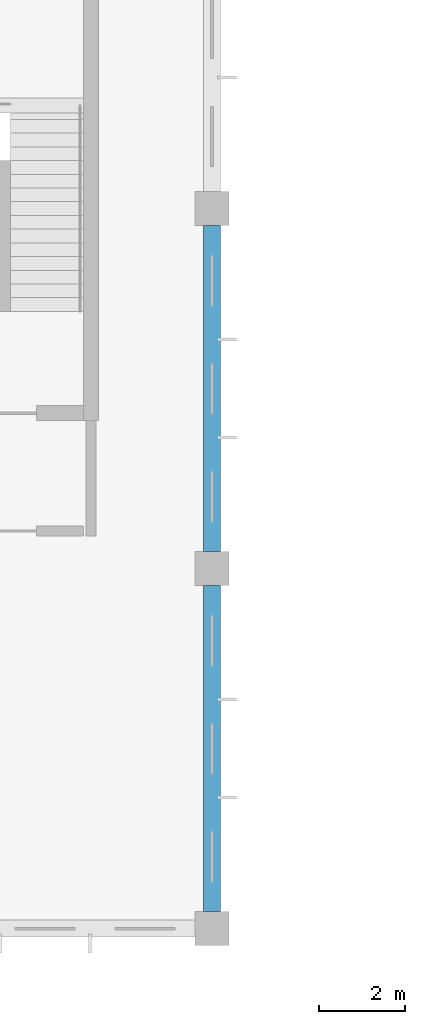
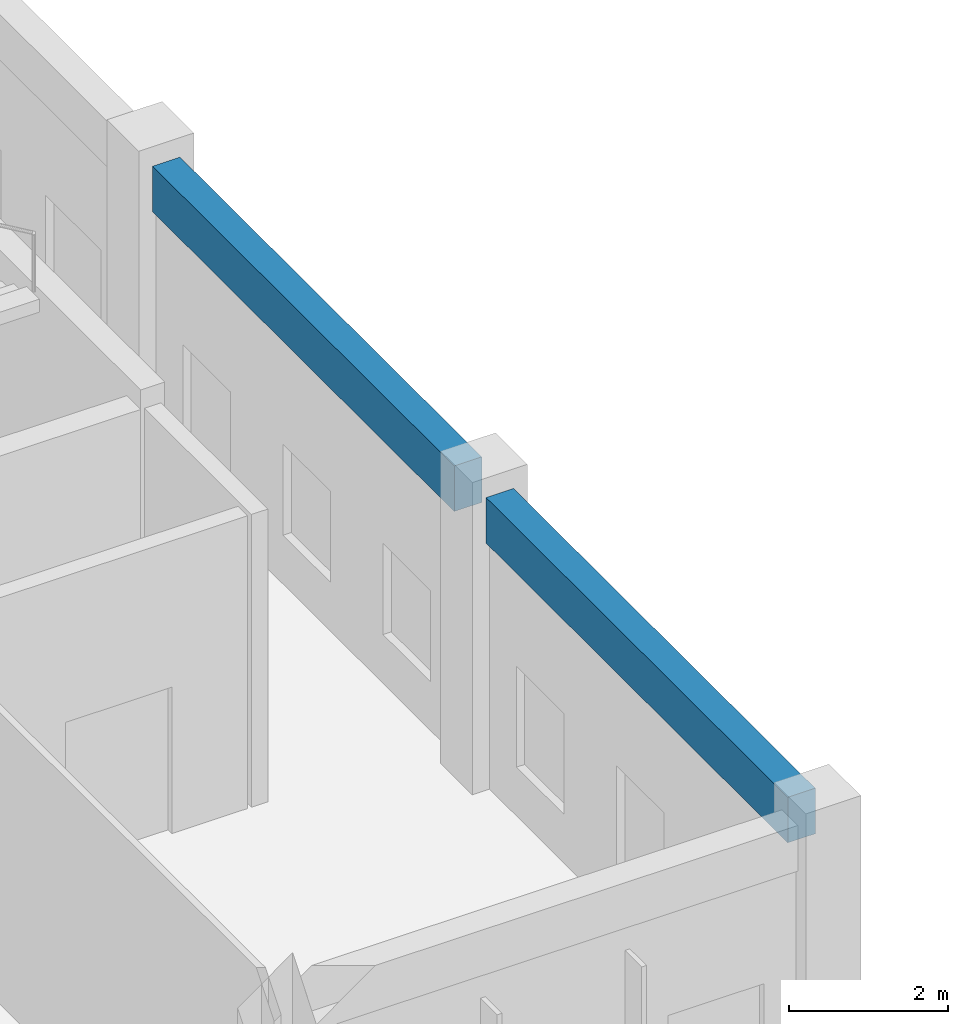
# One storey, part 32 of 62: 2 beams.
"""IFC4 building model written with IfcOpenShell, lengths in metres."""

from ifc_helpers import new_model, si_unit, direction, frame, origin, origin_2d, place, context, subcontext, project, spatial, rectangle, extrude, material, material_profile, profile_set, type_object, element, save


model = new_model("IFC4")

# Units and contexts
model_context = context("Model", 3, precision=1e-05, world=origin(), true_north=direction((0.0, 1.0)))
body_context = subcontext(model_context, "Body", "Model", "MODEL_VIEW")
ifc_project = project(units=[si_unit("LENGTHUNIT", "METRE"), si_unit("AREAUNIT", "SQUARE_METRE"), si_unit("VOLUMEUNIT", "CUBIC_METRE"), si_unit("PLANEANGLEUNIT", "RADIAN"), si_unit("MASSUNIT", "GRAM", prefix="KILO"), si_unit("THERMODYNAMICTEMPERATUREUNIT", "KELVIN"), si_unit("POWERUNIT", "WATT")], contexts=[model_context])

# Site, building, storey
site_placement = place(None, origin())
site = spatial("IfcSite", under=ifc_project, at=site_placement, CompositionType="ELEMENT")
building_placement = place(site_placement, origin())
building = spatial("IfcBuilding", under=site, at=building_placement, Name="Srebrne Nadtorze General Hospital", CompositionType="ELEMENT")
storey_placement = place(building_placement, frame((0.0, 0.0, 9.60009765625)))
storey = spatial("IfcBuildingStorey", under=building, at=storey_placement, Name="L02", CompositionType="ELEMENT", Elevation=9.60009765625)

# Beams
ifc_material = material(Name="Concrete C40/50", Category="concrete")
ifc_material_profile = material_profile(ifc_material, rectangle(XDim=0.39990234375, YDim=0.699951171875, at=origin_2d()), Name="RC-BM-400x700")
ifc_profile_set = profile_set([ifc_material_profile], Name="Concrete C40/50")
beam_type = type_object("IfcBeamType", Name="Edge beam RC 400x700", PredefinedType="BEAM", material=ifc_profile_set)
beam_1_placement = place(storey_placement, frame((148.199951171875, 0.39990234375, 4.14990234375), z_axis=(0.0, 1.0, 0.0), x_axis=(-1.0, 0.0, 0.0)))
element("IfcBeam", 1, at=beam_1_placement, inside=storey, type_object=beam_type, Name="Beam BM-L02-Y-0706", PredefinedType="BEAM", context=body_context, shape_type="SweptSolid", body=[
    extrude(rectangle(XDim=0.39990234375, YDim=0.699951171875, at=origin_2d()), origin(), (0.0, 0.0, 1.0), 7.60009765625),
])
beam_2_placement = place(storey_placement, frame((148.199951171875, 8.800048828125, 4.14990234375), z_axis=(0.0, 1.0, 0.0), x_axis=(-1.0, 0.0, 0.0)))
element("IfcBeam", 2, at=beam_2_placement, inside=storey, type_object=beam_type, Name="Beam BM-L02-Y-0707", PredefinedType="BEAM", context=body_context, shape_type="SweptSolid", body=[
    extrude(rectangle(XDim=0.39990234375, YDim=0.699951171875, at=origin_2d()), origin(), (0.0, 0.0, 1.0), 7.599853515625),
])

save(model, "model.ifc")
